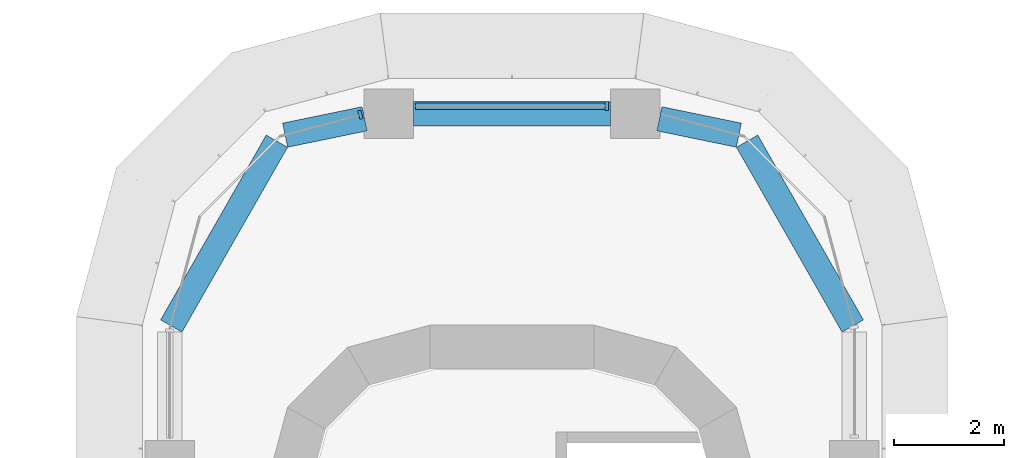
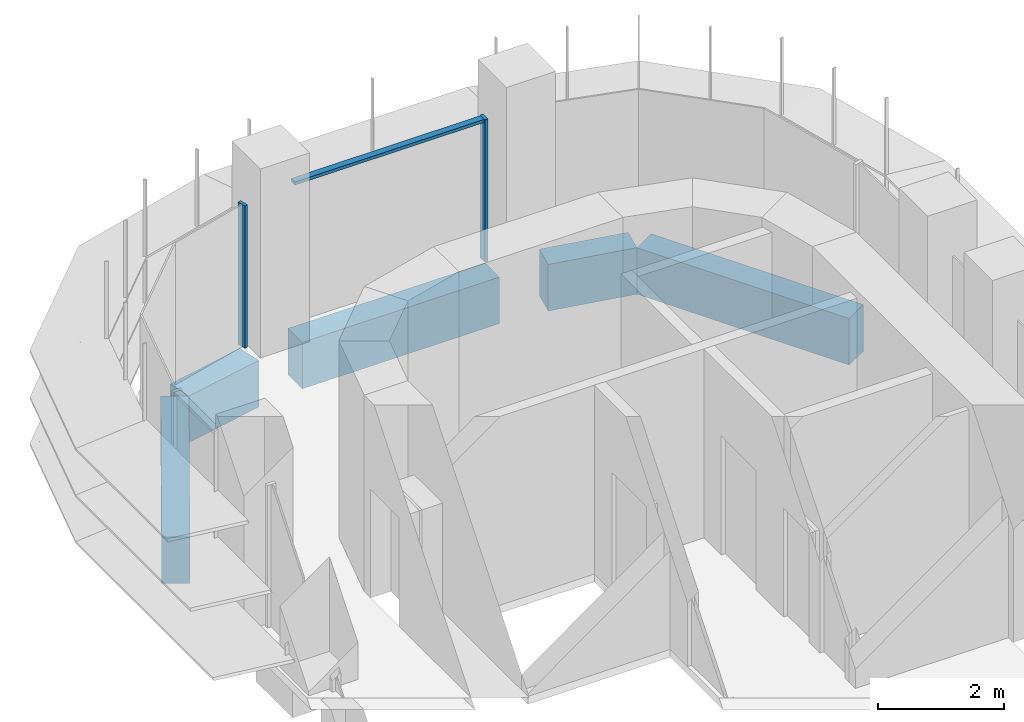
# One storey, part 12 of 23: 5 beams, 3 members, 2 elements without a shape of their own.
"""IFC4 building model written with IfcOpenShell, lengths in metres."""

from ifc_helpers import new_model, si_unit, direction, frame, origin, origin_2d, place, context, subcontext, project, spatial, polyline, rectangle, outline, extrude, source, transform, mapped, material, material_profile, profile_set, type_object, element, aggregate, save


model = new_model("IFC4")

# Units and contexts
model_context = context("Model", 3, precision=1e-05, world=origin(), true_north=direction((0.0, 1.0)))
body_context = subcontext(model_context, "Body", "Model", "MODEL_VIEW")
ifc_project = project(units=[si_unit("LENGTHUNIT", "METRE"), si_unit("AREAUNIT", "SQUARE_METRE"), si_unit("VOLUMEUNIT", "CUBIC_METRE"), si_unit("PLANEANGLEUNIT", "RADIAN"), si_unit("MASSUNIT", "GRAM", prefix="KILO")], contexts=[model_context])

# Site, building, storey
site_placement = place(None, origin())
site = spatial("IfcSite", under=ifc_project, at=site_placement, CompositionType="ELEMENT")
building_placement = place(site_placement, origin())
building = spatial("IfcBuilding", under=site, at=building_placement, Name="Zarbagh Exchange Tower", CompositionType="ELEMENT")
storey_placement = place(building_placement, frame((0.0, 0.0, 90.39990234375)))
storey = spatial("IfcBuildingStorey", under=building, at=storey_placement, Name="L20", CompositionType="ELEMENT", Elevation=90.39990234375)

# Beams
ifc_material_1 = material(Name="Concrete C60/75", Category="concrete")
ifc_material_profile = material_profile(ifc_material_1, rectangle(XDim=0.449951171875, YDim=0.89990234375, at=origin_2d()), Name="RC spandrel beam 450 x 900 C60/75")
ifc_profile_set = profile_set([ifc_material_profile], Name="Concrete C60/75")
beam_type = type_object("IfcBeamType", Name="RC spandrel beam 450 x 900 C60/75", PredefinedType="SPANDREL", material=ifc_profile_set)
beam_1_placement = place(storey_placement, frame((-6.22021484375, 29.236083984375, -0.599853515625), z_axis=(0.496220109488, 0.868196753587, 0.0), x_axis=(-0.868196753587, 0.496220109488, 0.0)))
element("IfcBeam", 1, at=beam_1_placement, inside=storey, type_object=beam_type, Name="RC spandrel beam", PredefinedType="SPANDREL", context=body_context, shape_type="SweptSolid", body=[
    extrude(rectangle(XDim=0.449951171875, YDim=0.89990234375, at=origin_2d()), origin(), (0.0, 0.0, 1.0), 3.88671875),
])
beam_2_placement = place(storey_placement, frame((-4.1416015625, 32.719482421875, -0.599853515625), z_axis=(0.979344889919, 0.202196900544, 0.0), x_axis=(-0.202196900544, 0.979344889919, 0.0)))
element("IfcBeam", 2, at=beam_2_placement, inside=storey, type_object=beam_type, Name="RC spandrel beam", PredefinedType="SPANDREL", context=body_context, shape_type="SweptSolid", body=[
    extrude(rectangle(XDim=0.449951171875, YDim=0.89990234375, at=origin_2d()), origin(), (0.0, 0.0, 1.0), 1.4814453125),
])
beam_3_placement = place(storey_placement, frame((-1.800048828125, 33.110107421875, -0.599853515625), z_axis=(1.0, 0.0, 0.0), x_axis=(0.0, 1.0, 0.0)))
element("IfcBeam", 3, at=beam_3_placement, inside=storey, type_object=beam_type, Name="RC spandrel beam", PredefinedType="SPANDREL", context=body_context, shape_type="SweptSolid", body=[
    extrude(rectangle(XDim=0.449951171875, YDim=0.89990234375, at=origin_2d()), origin(), (0.0, 0.0, 1.0), 3.60009765625),
])
beam_4_placement = place(storey_placement, frame((2.690673828125, 33.01904296875, -0.599853515625), z_axis=(0.979344889919, -0.202196900544, 0.0), x_axis=(0.202196900544, 0.979344889919, 0.0)))
element("IfcBeam", 4, at=beam_4_placement, inside=storey, type_object=beam_type, Name="RC spandrel beam", PredefinedType="SPANDREL", context=body_context, shape_type="SweptSolid", body=[
    extrude(rectangle(XDim=0.449951171875, YDim=0.89990234375, at=origin_2d()), origin(), (0.0, 0.0, 1.0), 1.4814453125),
])
beam_5_placement = place(storey_placement, frame((4.29150390625, 32.610595703125, -0.599853515625), z_axis=(0.496220109488, -0.868196753587, 0.0), x_axis=(0.868196753587, 0.496220109488, 0.0)))
element("IfcBeam", 5, at=beam_5_placement, inside=storey, type_object=beam_type, Name="RC spandrel beam", PredefinedType="SPANDREL", context=body_context, shape_type="SweptSolid", body=[
    extrude(rectangle(XDim=0.449951171875, YDim=0.89990234375, at=origin_2d()), origin(), (0.0, 0.0, 1.0), 3.88671875),
])

# Curtain wall, member
ifc_material_2 = material(Name="Anodised aluminium frame and glazing", Category="aluminium")
curtain_wall_type = type_object("IfcCurtainWallType", Name="CWA Ribbon glazing, lower zones", PredefinedType="NOTDEFINED", material=ifc_material_2)
curtain_wall_1_placement = place(storey_placement, origin())
curtain_wall_1 = element("IfcCurtainWall", 6, at=curtain_wall_1_placement, inside=storey, type_object=curtain_wall_type, Name="CWA24 curtain wall", PredefinedType="NOTDEFINED")
ifc_material_3 = material(Name="Anodised aluminium frame", Category="aluminium")
member_type_1 = type_object("IfcMemberType", Name="MUA Mullion, anodised aluminium frame", PredefinedType="MULLION", material=ifc_material_3)
shared_shape_1 = source(origin(), body_context, "Body", "SweptSolid", [
    extrude(outline(polyline([(0.0, -0.080078125), (0.06005859375, -0.080078125), (0.06005859375, 0.080078125), (0.0, 0.080078125), (0.0, -0.080078125)])), origin(), (0.0, 0.0, 1.0), 2.75),
])
placement = place(storey_placement, origin())
member_1 = element("IfcMember", 7, at=placement, type_object=member_type_1, Name="CWA24 mullion 1.1", PredefinedType="MULLION", context=body_context, shape_type="MappedRepresentation", body=[
    mapped(shared_shape_1, transform((1.760009765625, 33.25, 0.0), x_axis=(-1.0, 0.0, 0.0), y_axis=(0.0, -1.0, 0.0), z_axis=(0.0, 0.0, 1.0))),
])

curtain_wall_2_placement = place(storey_placement, origin())
curtain_wall_2 = element("IfcCurtainWall", 8, at=curtain_wall_2_placement, inside=storey, type_object=curtain_wall_type, Name="CWA25 curtain wall", PredefinedType="NOTDEFINED")
member_2 = element("IfcMember", 9, at=placement, type_object=member_type_1, Name="CWA25 mullion 1.1", PredefinedType="MULLION", context=body_context, shape_type="MappedRepresentation", body=[
    mapped(shared_shape_1, transform((-2.739990234375, 33.10107421875, 0.0), x_axis=(-0.965924289636, -0.258824779902, 0.0), y_axis=(0.258824779902, -0.965924289636, 0.0), z_axis=(0.0, 0.0, 1.0))),
])
aggregate(curtain_wall_2, [member_2])

# Member
member_type_2 = type_object("IfcMemberType", Name="TRA Transom, anodised aluminium frame", PredefinedType="USERDEFINED", material=ifc_material_3)
shared_shape_2 = source(origin(), body_context, "Body", "SweptSolid", [
    extrude(outline(polyline([(-0.06005859375, -0.06005859375), (0.0, -0.06005859375), (0.0, 0.06005859375), (-0.06005859375, 0.06005859375), (-0.06005859375, -0.06005859375)])), origin(), (0.0, 0.0, 1.0), 3.4599609375),
])
member_3 = element("IfcMember", 10, at=placement, type_object=member_type_2, Name="CWA24 transom 1.1", ObjectType="TRANSOM", PredefinedType="USERDEFINED", context=body_context, shape_type="MappedRepresentation", body=[
    mapped(shared_shape_2, transform((1.699951171875, 33.25, 2.75), x_axis=(0.0, 0.0, 1.0), y_axis=(0.0, 1.0, 0.0), z_axis=(-1.0, 0.0, 0.0))),
])

aggregate(curtain_wall_1, [member_1, member_3])

save(model, "model.ifc")
